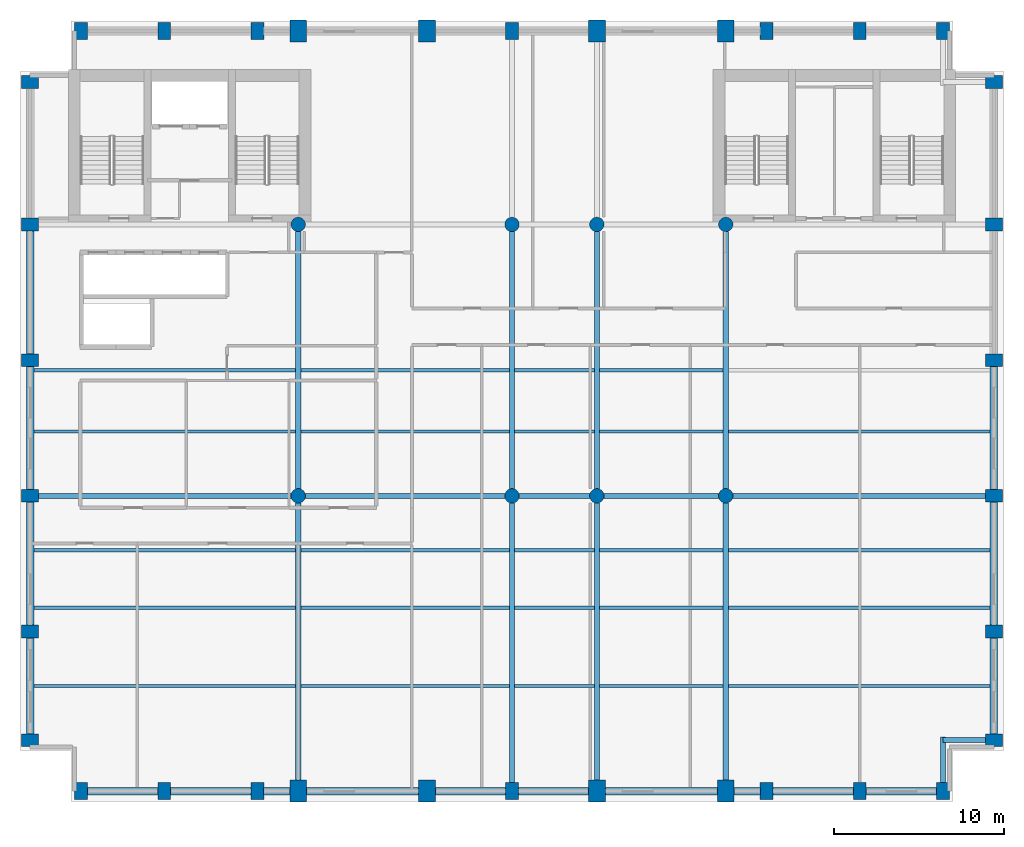
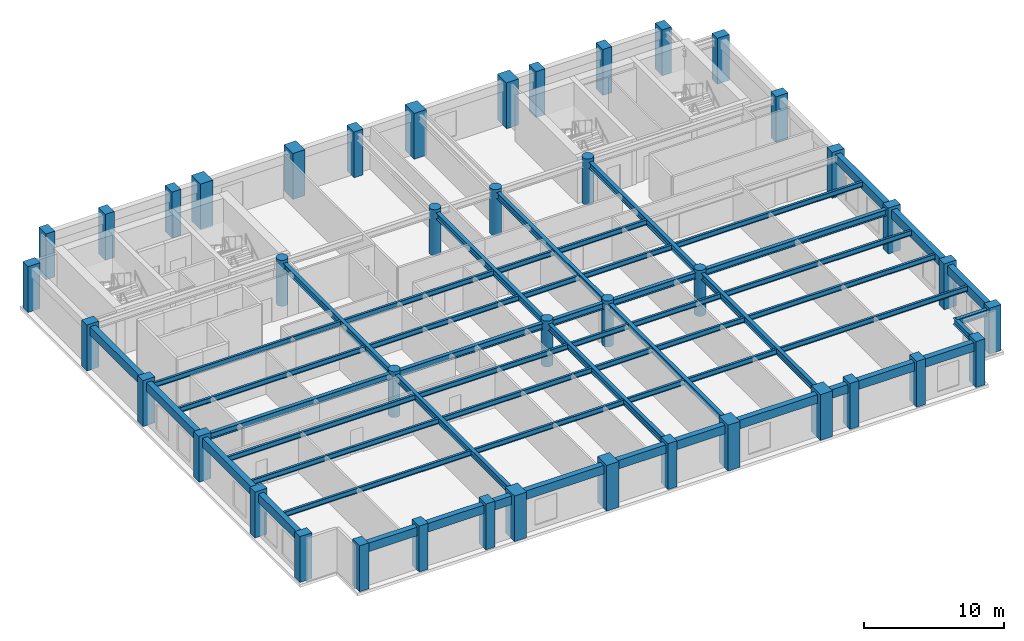
# One storey, part 1 of 8: 56 beams, 42 columns.
"""IFC4 building model written with IfcOpenShell, lengths in metres."""

from ifc_helpers import new_model, si_unit, direction, frame, origin, origin_2d, place, context, subcontext, project, spatial, rectangle, circle, i_section, extrude, material, material_profile, profile_set, type_object, element, save


model = new_model("IFC4")

# Units and contexts
model_context = context("Model", 3, precision=1e-05, world=origin(), true_north=direction((0.0, 1.0)))
body_context = subcontext(model_context, "Body", "Model", "MODEL_VIEW")
ifc_project = project(units=[si_unit("LENGTHUNIT", "METRE"), si_unit("AREAUNIT", "SQUARE_METRE"), si_unit("VOLUMEUNIT", "CUBIC_METRE"), si_unit("PLANEANGLEUNIT", "RADIAN"), si_unit("MASSUNIT", "GRAM", prefix="KILO")], contexts=[model_context])

# Site, building, storey
site_placement = place(None, origin())
site = spatial("IfcSite", under=ifc_project, at=site_placement, CompositionType="ELEMENT")
building_placement = place(site_placement, origin())
building = spatial("IfcBuilding", under=site, at=building_placement, Name="Sulina Concourse Tower", CompositionType="ELEMENT")
storey_placement = place(building_placement, frame((0.0, 0.0, 264.60009765625)))
storey = spatial("IfcBuildingStorey", under=building, at=storey_placement, Name="L64", CompositionType="ELEMENT", Elevation=264.60009765625)

# Columns
ifc_material_1 = material(Name="Precast concrete C50/60", Category="concrete")
ifc_material_profile_1 = material_profile(ifc_material_1, rectangle(XDim=0.75, YDim=1.0, at=origin_2d()), Name="PC 750x1000")
ifc_profile_set_1 = profile_set([ifc_material_profile_1], Name="Precast concrete C50/60")
column_type_1 = type_object("IfcColumnType", Name="Precast Tube Pier Zone 4 750x1000", PredefinedType="COLUMN", material=ifc_profile_set_1)
for number, where, z_axis, x_axis, name in (
    (1, (3.60009765625, 0.60009765625, 0.0), (0.0, 0.0, 1.0), (1.0, 0.0, 0.0), "L64 structural column TP-S-36"),
    (2, (3.60009765625, 45.39990234375, 0.0), (0.0, 0.0, 1.0), (1.0, 0.0, 0.0), "L64 structural column TP-N-36"),
    (3, (8.5, 0.60009765625, 0.0), (0.0, 0.0, 1.0), (1.0, 0.0, 0.0), "L64 structural column TP-S-85"),
    (4, (8.5, 45.39990234375, 0.0), (0.0, 0.0, 1.0), (1.0, 0.0, 0.0), "L64 structural column TP-N-85"),
    (5, (14.0, 0.60009765625, 0.0), (0.0, 0.0, 1.0), (1.0, 0.0, 0.0), "L64 structural column TP-S-140"),
    (6, (14.0, 45.39990234375, 0.0), (0.0, 0.0, 1.0), (1.0, 0.0, 0.0), "L64 structural column TP-N-140"),
    (7, (29.0, 0.60009765625, 0.0), (0.0, 0.0, 1.0), (1.0, 0.0, 0.0), "L64 structural column TP-S-290"),
    (8, (29.0, 45.39990234375, 0.0), (0.0, 0.0, 1.0), (1.0, 0.0, 0.0), "L64 structural column TP-N-290"),
    (9, (44.0, 0.60009765625, 0.0), (0.0, 0.0, 1.0), (1.0, 0.0, 0.0), "L64 structural column TP-S-440"),
    (10, (44.0, 45.39990234375, 0.0), (0.0, 0.0, 1.0), (1.0, 0.0, 0.0), "L64 structural column TP-N-440"),
    (11, (49.5, 0.60009765625, 0.0), (0.0, 0.0, 1.0), (1.0, 0.0, 0.0), "L64 structural column TP-S-495"),
    (12, (49.5, 45.39990234375, 0.0), (0.0, 0.0, 1.0), (1.0, 0.0, 0.0), "L64 structural column TP-N-495"),
    (13, (54.39990234375, 0.60009765625, 0.0), (0.0, 0.0, 1.0), (1.0, 0.0, 0.0), "L64 structural column TP-S-544"),
    (14, (54.39990234375, 45.39990234375, 0.0), (0.0, 0.0, 1.0), (1.0, 0.0, 0.0), "L64 structural column TP-N-544"),
    (15, (0.60009765625, 3.60009765625, 0.0), (0.0, 0.0, 1.0), (0.0, 1.0, 0.0), "L64 structural column TP-W-36"),
    (16, (57.39990234375, 3.60009765625, 0.0), (0.0, 0.0, 1.0), (0.0, 1.0, 0.0), "L64 structural column TP-E-36"),
    (17, (0.60009765625, 10.0, 0.0), (0.0, 0.0, 1.0), (0.0, 1.0, 0.0), "L64 structural column TP-W-100"),
    (18, (57.39990234375, 10.0, 0.0), (0.0, 0.0, 1.0), (0.0, 1.0, 0.0), "L64 structural column TP-E-100"),
    (19, (0.60009765625, 18.0, 0.0), (0.0, 0.0, 1.0), (0.0, 1.0, 0.0), "L64 structural column TP-W-180"),
    (20, (57.39990234375, 18.0, 0.0), (0.0, 0.0, 1.0), (0.0, 1.0, 0.0), "L64 structural column TP-E-180"),
    (21, (0.60009765625, 26.0, 0.0), (0.0, 0.0, 1.0), (0.0, 1.0, 0.0), "L64 structural column TP-W-260"),
    (22, (57.39990234375, 26.0, 0.0), (0.0, 0.0, 1.0), (0.0, 1.0, 0.0), "L64 structural column TP-E-260"),
    (23, (0.60009765625, 34.0, 0.0), (0.0, 0.0, 1.0), (0.0, 1.0, 0.0), "L64 structural column TP-W-340"),
    (24, (57.39990234375, 34.0, 0.0), (0.0, 0.0, 1.0), (0.0, 1.0, 0.0), "L64 structural column TP-E-340"),
    (25, (0.60009765625, 42.39990234375, 0.0), (0.0, 0.0, 1.0), (0.0, 1.0, 0.0), "L64 structural column TP-W-424"),
    (26, (57.39990234375, 42.39990234375, 0.0), (0.0, 0.0, 1.0), (0.0, 1.0, 0.0), "L64 structural column TP-E-424"),
):
    element("IfcColumn", number, at=place(storey_placement, frame(where, z_axis=z_axis, x_axis=x_axis)), inside=storey, type_object=column_type_1, Name=name, PredefinedType="COLUMN", context=body_context, shape_type="SweptSolid", body=[
        extrude(rectangle(XDim=0.75, YDim=1.0, at=origin_2d()), origin(), (0.0, 0.0, 1.0), 4.0),
    ])
ifc_material_2 = material(Name="Concrete C50/60", Category="concrete")
ifc_material_profile_2 = material_profile(ifc_material_2, circle(Radius=0.425048828125, at=origin_2d()), Name="RC D850")
ifc_profile_set_2 = profile_set([ifc_material_profile_2], Name="Concrete C50/60")
column_type_2 = type_object("IfcColumnType", Name="Upper Interior Circular Column D850", PredefinedType="COLUMN", material=ifc_profile_set_2)
for number, where, z_axis, x_axis, name in (
    (27, (16.39990234375, 18.0, 0.0), (0.0, 0.0, 1.0), (1.0, 0.0, 0.0), "L64 structural column IC-M-164"),
    (28, (16.39990234375, 34.0, 0.0), (0.0, 0.0, 1.0), (1.0, 0.0, 0.0), "L64 structural column IC-N-164"),
    (29, (29.0, 18.0, 0.0), (0.0, 0.0, 1.0), (1.0, 0.0, 0.0), "L64 structural column IC-M-290"),
    (30, (29.0, 34.0, 0.0), (0.0, 0.0, 1.0), (1.0, 0.0, 0.0), "L64 structural column IC-N-290"),
    (31, (41.60009765625, 18.0, 0.0), (0.0, 0.0, 1.0), (1.0, 0.0, 0.0), "L64 structural column IC-M-416"),
    (32, (41.60009765625, 34.0, 0.0), (0.0, 0.0, 1.0), (1.0, 0.0, 0.0), "L64 structural column IC-N-416"),
    (33, (34.0, 18.0, 0.0), (0.0, 0.0, 1.0), (1.0, 0.0, 0.0), "L64 structural column IC-M-340"),
    (34, (34.0, 34.0, 0.0), (0.0, 0.0, 1.0), (1.0, 0.0, 0.0), "L64 structural column IC-N-340"),
):
    element("IfcColumn", number, at=place(storey_placement, frame(where, z_axis=z_axis, x_axis=x_axis)), inside=storey, type_object=column_type_2, Name=name, PredefinedType="COLUMN", context=body_context, shape_type="SweptSolid", body=[
        extrude(circle(Radius=0.425048828125, at=origin_2d()), origin(), (0.0, 0.0, 1.0), 4.0),
    ])
ifc_material_3 = material(Name="Concrete C60/75", Category="concrete")
ifc_material_profile_3 = material_profile(ifc_material_3, rectangle(XDim=1.0, YDim=1.300048828125, at=origin_2d()), Name="RC 1000x1300")
ifc_profile_set_3 = profile_set([ifc_material_profile_3], Name="Concrete C60/75")
column_type_3 = type_object("IfcColumnType", Name="Upper Portal Column 1000x1300", PredefinedType="COLUMN", material=ifc_profile_set_3)
for number, where, z_axis, x_axis, name in (
    (35, (16.39990234375, 0.60009765625, 0.0), (0.0, 0.0, 1.0), (1.0, 0.0, 0.0), "L64 structural column TP-S-164"),
    (36, (16.39990234375, 45.39990234375, 0.0), (0.0, 0.0, 1.0), (1.0, 0.0, 0.0), "L64 structural column TP-N-164"),
    (37, (24.0, 0.60009765625, 0.0), (0.0, 0.0, 1.0), (1.0, 0.0, 0.0), "L64 structural column TP-S-240"),
    (38, (24.0, 45.39990234375, 0.0), (0.0, 0.0, 1.0), (1.0, 0.0, 0.0), "L64 structural column TP-N-240"),
    (39, (34.0, 0.60009765625, 0.0), (0.0, 0.0, 1.0), (1.0, 0.0, 0.0), "L64 structural column TP-S-340"),
    (40, (34.0, 45.39990234375, 0.0), (0.0, 0.0, 1.0), (1.0, 0.0, 0.0), "L64 structural column TP-N-340"),
    (41, (41.60009765625, 0.60009765625, 0.0), (0.0, 0.0, 1.0), (1.0, 0.0, 0.0), "L64 structural column TP-S-416"),
    (42, (41.60009765625, 45.39990234375, 0.0), (0.0, 0.0, 1.0), (1.0, 0.0, 0.0), "L64 structural column TP-N-416"),
):
    element("IfcColumn", number, at=place(storey_placement, frame(where, z_axis=z_axis, x_axis=x_axis)), inside=storey, type_object=column_type_3, Name=name, PredefinedType="COLUMN", context=body_context, shape_type="SweptSolid", body=[
        extrude(rectangle(XDim=1.0, YDim=1.300048828125, at=origin_2d()), origin(), (0.0, 0.0, 1.0), 4.0),
    ])

# Beams
ifc_material_4 = material(Name="Steel S355", Category="steel")
ifc_material_profile_4 = material_profile(ifc_material_4, i_section(OverallWidth=0.18994140625, OverallDepth=0.449951171875, WebThickness=0.009521484375, FlangeThickness=0.0146484375, at=origin_2d()), Name="IPE 450")
ifc_profile_set_4 = profile_set([ifc_material_profile_4], Name="Steel S355")
beam_type_1 = type_object("IfcBeamType", Name="Composite Floor Joist IPE450", PredefinedType="JOIST", material=ifc_profile_set_4)
beam_1_placement = place(storey_placement, frame((0.824951171875, 6.800048828125, 3.52490234375), z_axis=(1.0, 0.0, 0.0), x_axis=(0.0, 1.0, 0.0)))
element("IfcBeam", 43, at=beam_1_placement, inside=storey, type_object=beam_type_1, Name="FJ-J06-1-L64", PredefinedType="JOIST", context=body_context, shape_type="SweptSolid", body=[
    extrude(i_section(OverallWidth=0.18994140625, OverallDepth=0.449951171875, WebThickness=0.009521484375, FlangeThickness=0.0146484375, at=origin_2d()), origin(), (0.0, 0.0, 1.0), 15.425048828125),
])
beam_2_placement = place(storey_placement, frame((16.550048828125, 6.800048828125, 3.52490234375), z_axis=(1.0, 0.0, 0.0), x_axis=(0.0, 1.0, 0.0)))
element("IfcBeam", 44, at=beam_2_placement, inside=storey, type_object=beam_type_1, Name="FJ-J06-2-L64", PredefinedType="JOIST", context=body_context, shape_type="SweptSolid", body=[
    extrude(i_section(OverallWidth=0.18994140625, OverallDepth=0.449951171875, WebThickness=0.009521484375, FlangeThickness=0.0146484375, at=origin_2d()), origin(), (0.0, 0.0, 1.0), 12.300048828125),
])
beam_3_placement = place(storey_placement, frame((29.14990234375, 6.800048828125, 3.52490234375), z_axis=(1.0, 0.0, 0.0), x_axis=(0.0, 1.0, 0.0)))
element("IfcBeam", 45, at=beam_3_placement, inside=storey, type_object=beam_type_1, Name="FJ-J06-3-L64", PredefinedType="JOIST", context=body_context, shape_type="SweptSolid", body=[
    extrude(i_section(OverallWidth=0.18994140625, OverallDepth=0.449951171875, WebThickness=0.009521484375, FlangeThickness=0.0146484375, at=origin_2d()), origin(), (0.0, 0.0, 1.0), 4.7001953125),
])
beam_4_placement = place(storey_placement, frame((34.14990234375, 6.800048828125, 3.52490234375), z_axis=(1.0, 0.0, 0.0), x_axis=(0.0, 1.0, 0.0)))
element("IfcBeam", 46, at=beam_4_placement, inside=storey, type_object=beam_type_1, Name="FJ-J06-4-L64", PredefinedType="JOIST", context=body_context, shape_type="SweptSolid", body=[
    extrude(i_section(OverallWidth=0.18994140625, OverallDepth=0.449951171875, WebThickness=0.009521484375, FlangeThickness=0.0146484375, at=origin_2d()), origin(), (0.0, 0.0, 1.0), 7.300048828125),
])
for number, where, z_axis, x_axis, name in (
    (47, (41.75, 6.800048828125, 3.52490234375), (1.0, 0.0, 0.0), (0.0, 1.0, 0.0), "FJ-J06-5-L64"),
    (48, (0.824951171875, 11.39990234375, 3.52490234375), (1.0, 0.0, 0.0), (0.0, 1.0, 0.0), "FJ-J11-1-L64"),
):
    element("IfcBeam", number, at=place(storey_placement, frame(where, z_axis=z_axis, x_axis=x_axis)), inside=storey, type_object=beam_type_1, Name=name, PredefinedType="JOIST", context=body_context, shape_type="SweptSolid", body=[
        extrude(i_section(OverallWidth=0.18994140625, OverallDepth=0.449951171875, WebThickness=0.009521484375, FlangeThickness=0.0146484375, at=origin_2d()), origin(), (0.0, 0.0, 1.0), 15.425048828125),
    ])
beam_5_placement = place(storey_placement, frame((16.550048828125, 11.39990234375, 3.52490234375), z_axis=(1.0, 0.0, 0.0), x_axis=(0.0, 1.0, 0.0)))
element("IfcBeam", 49, at=beam_5_placement, inside=storey, type_object=beam_type_1, Name="FJ-J11-2-L64", PredefinedType="JOIST", context=body_context, shape_type="SweptSolid", body=[
    extrude(i_section(OverallWidth=0.18994140625, OverallDepth=0.449951171875, WebThickness=0.009521484375, FlangeThickness=0.0146484375, at=origin_2d()), origin(), (0.0, 0.0, 1.0), 12.300048828125),
])
beam_6_placement = place(storey_placement, frame((29.14990234375, 11.39990234375, 3.52490234375), z_axis=(1.0, 0.0, 0.0), x_axis=(0.0, 1.0, 0.0)))
element("IfcBeam", 50, at=beam_6_placement, inside=storey, type_object=beam_type_1, Name="FJ-J11-3-L64", PredefinedType="JOIST", context=body_context, shape_type="SweptSolid", body=[
    extrude(i_section(OverallWidth=0.18994140625, OverallDepth=0.449951171875, WebThickness=0.009521484375, FlangeThickness=0.0146484375, at=origin_2d()), origin(), (0.0, 0.0, 1.0), 4.7001953125),
])
beam_7_placement = place(storey_placement, frame((34.14990234375, 11.39990234375, 3.52490234375), z_axis=(1.0, 0.0, 0.0), x_axis=(0.0, 1.0, 0.0)))
element("IfcBeam", 51, at=beam_7_placement, inside=storey, type_object=beam_type_1, Name="FJ-J11-4-L64", PredefinedType="JOIST", context=body_context, shape_type="SweptSolid", body=[
    extrude(i_section(OverallWidth=0.18994140625, OverallDepth=0.449951171875, WebThickness=0.009521484375, FlangeThickness=0.0146484375, at=origin_2d()), origin(), (0.0, 0.0, 1.0), 7.300048828125),
])
for number, where, z_axis, x_axis, name in (
    (52, (41.75, 11.39990234375, 3.52490234375), (1.0, 0.0, 0.0), (0.0, 1.0, 0.0), "FJ-J11-5-L64"),
    (53, (0.824951171875, 14.800048828125, 3.52490234375), (1.0, 0.0, 0.0), (0.0, 1.0, 0.0), "FJ-J15-1-L64"),
):
    element("IfcBeam", number, at=place(storey_placement, frame(where, z_axis=z_axis, x_axis=x_axis)), inside=storey, type_object=beam_type_1, Name=name, PredefinedType="JOIST", context=body_context, shape_type="SweptSolid", body=[
        extrude(i_section(OverallWidth=0.18994140625, OverallDepth=0.449951171875, WebThickness=0.009521484375, FlangeThickness=0.0146484375, at=origin_2d()), origin(), (0.0, 0.0, 1.0), 15.425048828125),
    ])
beam_8_placement = place(storey_placement, frame((16.550048828125, 14.800048828125, 3.52490234375), z_axis=(1.0, 0.0, 0.0), x_axis=(0.0, 1.0, 0.0)))
element("IfcBeam", 54, at=beam_8_placement, inside=storey, type_object=beam_type_1, Name="FJ-J15-2-L64", PredefinedType="JOIST", context=body_context, shape_type="SweptSolid", body=[
    extrude(i_section(OverallWidth=0.18994140625, OverallDepth=0.449951171875, WebThickness=0.009521484375, FlangeThickness=0.0146484375, at=origin_2d()), origin(), (0.0, 0.0, 1.0), 12.300048828125),
])
beam_9_placement = place(storey_placement, frame((29.14990234375, 14.800048828125, 3.52490234375), z_axis=(1.0, 0.0, 0.0), x_axis=(0.0, 1.0, 0.0)))
element("IfcBeam", 55, at=beam_9_placement, inside=storey, type_object=beam_type_1, Name="FJ-J15-3-L64", PredefinedType="JOIST", context=body_context, shape_type="SweptSolid", body=[
    extrude(i_section(OverallWidth=0.18994140625, OverallDepth=0.449951171875, WebThickness=0.009521484375, FlangeThickness=0.0146484375, at=origin_2d()), origin(), (0.0, 0.0, 1.0), 4.7001953125),
])
beam_10_placement = place(storey_placement, frame((34.14990234375, 14.800048828125, 3.52490234375), z_axis=(1.0, 0.0, 0.0), x_axis=(0.0, 1.0, 0.0)))
element("IfcBeam", 56, at=beam_10_placement, inside=storey, type_object=beam_type_1, Name="FJ-J15-4-L64", PredefinedType="JOIST", context=body_context, shape_type="SweptSolid", body=[
    extrude(i_section(OverallWidth=0.18994140625, OverallDepth=0.449951171875, WebThickness=0.009521484375, FlangeThickness=0.0146484375, at=origin_2d()), origin(), (0.0, 0.0, 1.0), 7.300048828125),
])
for number, where, z_axis, x_axis, name in (
    (57, (41.75, 14.800048828125, 3.52490234375), (1.0, 0.0, 0.0), (0.0, 1.0, 0.0), "FJ-J15-5-L64"),
    (58, (0.824951171875, 21.800048828125, 3.52490234375), (1.0, 0.0, 0.0), (0.0, 1.0, 0.0), "FJ-J22-1-L64"),
):
    element("IfcBeam", number, at=place(storey_placement, frame(where, z_axis=z_axis, x_axis=x_axis)), inside=storey, type_object=beam_type_1, Name=name, PredefinedType="JOIST", context=body_context, shape_type="SweptSolid", body=[
        extrude(i_section(OverallWidth=0.18994140625, OverallDepth=0.449951171875, WebThickness=0.009521484375, FlangeThickness=0.0146484375, at=origin_2d()), origin(), (0.0, 0.0, 1.0), 15.425048828125),
    ])
beam_11_placement = place(storey_placement, frame((16.550048828125, 21.800048828125, 3.52490234375), z_axis=(1.0, 0.0, 0.0), x_axis=(0.0, 1.0, 0.0)))
element("IfcBeam", 59, at=beam_11_placement, inside=storey, type_object=beam_type_1, Name="FJ-J22-2-L64", PredefinedType="JOIST", context=body_context, shape_type="SweptSolid", body=[
    extrude(i_section(OverallWidth=0.18994140625, OverallDepth=0.449951171875, WebThickness=0.009521484375, FlangeThickness=0.0146484375, at=origin_2d()), origin(), (0.0, 0.0, 1.0), 12.300048828125),
])
beam_12_placement = place(storey_placement, frame((29.14990234375, 21.800048828125, 3.52490234375), z_axis=(1.0, 0.0, 0.0), x_axis=(0.0, 1.0, 0.0)))
element("IfcBeam", 60, at=beam_12_placement, inside=storey, type_object=beam_type_1, Name="FJ-J22-3-L64", PredefinedType="JOIST", context=body_context, shape_type="SweptSolid", body=[
    extrude(i_section(OverallWidth=0.18994140625, OverallDepth=0.449951171875, WebThickness=0.009521484375, FlangeThickness=0.0146484375, at=origin_2d()), origin(), (0.0, 0.0, 1.0), 4.7001953125),
])
beam_13_placement = place(storey_placement, frame((34.14990234375, 21.800048828125, 3.52490234375), z_axis=(1.0, 0.0, 0.0), x_axis=(0.0, 1.0, 0.0)))
element("IfcBeam", 61, at=beam_13_placement, inside=storey, type_object=beam_type_1, Name="FJ-J22-4-L64", PredefinedType="JOIST", context=body_context, shape_type="SweptSolid", body=[
    extrude(i_section(OverallWidth=0.18994140625, OverallDepth=0.449951171875, WebThickness=0.009521484375, FlangeThickness=0.0146484375, at=origin_2d()), origin(), (0.0, 0.0, 1.0), 7.300048828125),
])
for number, where, z_axis, x_axis, name in (
    (62, (41.75, 21.800048828125, 3.52490234375), (1.0, 0.0, 0.0), (0.0, 1.0, 0.0), "FJ-J22-5-L64"),
    (63, (0.824951171875, 25.39990234375, 3.52490234375), (1.0, 0.0, 0.0), (0.0, 1.0, 0.0), "FJ-J25-1-L64"),
):
    element("IfcBeam", number, at=place(storey_placement, frame(where, z_axis=z_axis, x_axis=x_axis)), inside=storey, type_object=beam_type_1, Name=name, PredefinedType="JOIST", context=body_context, shape_type="SweptSolid", body=[
        extrude(i_section(OverallWidth=0.18994140625, OverallDepth=0.449951171875, WebThickness=0.009521484375, FlangeThickness=0.0146484375, at=origin_2d()), origin(), (0.0, 0.0, 1.0), 15.425048828125),
    ])
beam_14_placement = place(storey_placement, frame((16.550048828125, 25.39990234375, 3.52490234375), z_axis=(1.0, 0.0, 0.0), x_axis=(0.0, 1.0, 0.0)))
element("IfcBeam", 64, at=beam_14_placement, inside=storey, type_object=beam_type_1, Name="FJ-J25-2-L64", PredefinedType="JOIST", context=body_context, shape_type="SweptSolid", body=[
    extrude(i_section(OverallWidth=0.18994140625, OverallDepth=0.449951171875, WebThickness=0.009521484375, FlangeThickness=0.0146484375, at=origin_2d()), origin(), (0.0, 0.0, 1.0), 12.300048828125),
])
beam_15_placement = place(storey_placement, frame((29.14990234375, 25.39990234375, 3.52490234375), z_axis=(1.0, 0.0, 0.0), x_axis=(0.0, 1.0, 0.0)))
element("IfcBeam", 65, at=beam_15_placement, inside=storey, type_object=beam_type_1, Name="FJ-J25-3-L64", PredefinedType="JOIST", context=body_context, shape_type="SweptSolid", body=[
    extrude(i_section(OverallWidth=0.18994140625, OverallDepth=0.449951171875, WebThickness=0.009521484375, FlangeThickness=0.0146484375, at=origin_2d()), origin(), (0.0, 0.0, 1.0), 4.7001953125),
])
beam_16_placement = place(storey_placement, frame((34.14990234375, 25.39990234375, 3.52490234375), z_axis=(1.0, 0.0, 0.0), x_axis=(0.0, 1.0, 0.0)))
element("IfcBeam", 66, at=beam_16_placement, inside=storey, type_object=beam_type_1, Name="FJ-J25-4-L64", PredefinedType="JOIST", context=body_context, shape_type="SweptSolid", body=[
    extrude(i_section(OverallWidth=0.18994140625, OverallDepth=0.449951171875, WebThickness=0.009521484375, FlangeThickness=0.0146484375, at=origin_2d()), origin(), (0.0, 0.0, 1.0), 7.300048828125),
])
ifc_material_5 = material(Name="Steel S355", Category="steel")
ifc_material_profile_5 = material_profile(ifc_material_5, i_section(OverallWidth=0.300048828125, OverallDepth=0.550048828125, WebThickness=0.014892578125, FlangeThickness=0.029052734375, at=origin_2d()), Name="HE 550 B")
ifc_profile_set_5 = profile_set([ifc_material_profile_5], Name="Steel S355")
beam_type_2 = type_object("IfcBeamType", Name="Floor Primary Girder Zone 4 HE550B", PredefinedType="BEAM", material=ifc_profile_set_5)
beam_17_placement = place(storey_placement, frame((54.39990234375, 3.60009765625, 3.474853515625), z_axis=(1.0, 0.0, 0.0), x_axis=(0.0, 1.0, 0.0)))
element("IfcBeam", 67, at=beam_17_placement, inside=storey, type_object=beam_type_2, Name="TIE-SE-L64", PredefinedType="BEAM", context=body_context, shape_type="SweptSolid", body=[
    extrude(i_section(OverallWidth=0.300048828125, OverallDepth=0.550048828125, WebThickness=0.014892578125, FlangeThickness=0.029052734375, at=origin_2d()), origin(), (0.0, 0.0, 1.0), 2.64501953125),
])
beam_18_placement = place(storey_placement, frame((54.39990234375, 0.955078125, 3.474853515625), z_axis=(0.0, 1.0, 0.0), x_axis=(-1.0, 0.0, 0.0)))
element("IfcBeam", 68, at=beam_18_placement, inside=storey, type_object=beam_type_2, Name="TIE-SES-L64", PredefinedType="BEAM", context=body_context, shape_type="SweptSolid", body=[
    extrude(i_section(OverallWidth=0.300048828125, OverallDepth=0.550048828125, WebThickness=0.014892578125, FlangeThickness=0.029052734375, at=origin_2d()), origin(), (0.0, 0.0, 1.0), 2.844970703125),
])
beam_19_placement = place(storey_placement, frame((0.955078125, 18.0, 3.474853515625), z_axis=(1.0, 0.0, 0.0), x_axis=(0.0, 1.0, 0.0)))
element("IfcBeam", 69, at=beam_19_placement, inside=storey, type_object=beam_type_2, Name="FG-EW1-L64", PredefinedType="BEAM", context=body_context, shape_type="SweptSolid", body=[
    extrude(i_section(OverallWidth=0.300048828125, OverallDepth=0.550048828125, WebThickness=0.014892578125, FlangeThickness=0.029052734375, at=origin_2d()), origin(), (0.0, 0.0, 1.0), 15.0400390625),
])
beam_20_placement = place(storey_placement, frame((16.804931640625, 18.0, 3.474853515625), z_axis=(1.0, 0.0, 0.0), x_axis=(0.0, 1.0, 0.0)))
element("IfcBeam", 70, at=beam_20_placement, inside=storey, type_object=beam_type_2, Name="FG-EW2-L64", PredefinedType="BEAM", context=body_context, shape_type="SweptSolid", body=[
    extrude(i_section(OverallWidth=0.300048828125, OverallDepth=0.550048828125, WebThickness=0.014892578125, FlangeThickness=0.029052734375, at=origin_2d()), origin(), (0.0, 0.0, 1.0), 11.7900390625),
])
beam_21_placement = place(storey_placement, frame((29.405029296875, 18.0, 3.474853515625), z_axis=(1.0, 0.0, 0.0), x_axis=(0.0, 1.0, 0.0)))
element("IfcBeam", 71, at=beam_21_placement, inside=storey, type_object=beam_type_2, Name="FG-EW3-L64", PredefinedType="BEAM", context=body_context, shape_type="SweptSolid", body=[
    extrude(i_section(OverallWidth=0.300048828125, OverallDepth=0.550048828125, WebThickness=0.014892578125, FlangeThickness=0.029052734375, at=origin_2d()), origin(), (0.0, 0.0, 1.0), 4.18994140625),
])
beam_22_placement = place(storey_placement, frame((34.405029296875, 18.0, 3.474853515625), z_axis=(1.0, 0.0, 0.0), x_axis=(0.0, 1.0, 0.0)))
element("IfcBeam", 72, at=beam_22_placement, inside=storey, type_object=beam_type_2, Name="FG-EW4-L64", PredefinedType="BEAM", context=body_context, shape_type="SweptSolid", body=[
    extrude(i_section(OverallWidth=0.300048828125, OverallDepth=0.550048828125, WebThickness=0.014892578125, FlangeThickness=0.029052734375, at=origin_2d()), origin(), (0.0, 0.0, 1.0), 6.7900390625),
])
beam_23_placement = place(storey_placement, frame((42.0048828125, 18.0, 3.474853515625), z_axis=(1.0, 0.0, 0.0), x_axis=(0.0, 1.0, 0.0)))
element("IfcBeam", 73, at=beam_23_placement, inside=storey, type_object=beam_type_2, Name="FG-EW5-L64", PredefinedType="BEAM", context=body_context, shape_type="SweptSolid", body=[
    extrude(i_section(OverallWidth=0.300048828125, OverallDepth=0.550048828125, WebThickness=0.014892578125, FlangeThickness=0.029052734375, at=origin_2d()), origin(), (0.0, 0.0, 1.0), 15.0400390625),
])
beam_24_placement = place(storey_placement, frame((16.39990234375, 1.080078125, 3.474853515625), z_axis=(0.0, 1.0, 0.0), x_axis=(-1.0, 0.0, 0.0)))
element("IfcBeam", 74, at=beam_24_placement, inside=storey, type_object=beam_type_2, Name="FG-NSA-16-L64", PredefinedType="BEAM", context=body_context, shape_type="SweptSolid", body=[
    extrude(i_section(OverallWidth=0.300048828125, OverallDepth=0.550048828125, WebThickness=0.014892578125, FlangeThickness=0.029052734375, at=origin_2d()), origin(), (0.0, 0.0, 1.0), 16.514892578125),
])
beam_25_placement = place(storey_placement, frame((16.39990234375, 18.405029296875, 3.474853515625), z_axis=(0.0, 1.0, 0.0), x_axis=(-1.0, 0.0, 0.0)))
element("IfcBeam", 75, at=beam_25_placement, inside=storey, type_object=beam_type_2, Name="FG-NSB-16-L64", PredefinedType="BEAM", context=body_context, shape_type="SweptSolid", body=[
    extrude(i_section(OverallWidth=0.300048828125, OverallDepth=0.550048828125, WebThickness=0.014892578125, FlangeThickness=0.029052734375, at=origin_2d()), origin(), (0.0, 0.0, 1.0), 15.18994140625),
])
beam_26_placement = place(storey_placement, frame((29.0, 0.955078125, 3.474853515625), z_axis=(0.0, 1.0, 0.0), x_axis=(-1.0, 0.0, 0.0)))
element("IfcBeam", 76, at=beam_26_placement, inside=storey, type_object=beam_type_2, Name="FG-NSA-29-L64", PredefinedType="BEAM", context=body_context, shape_type="SweptSolid", body=[
    extrude(i_section(OverallWidth=0.300048828125, OverallDepth=0.550048828125, WebThickness=0.014892578125, FlangeThickness=0.029052734375, at=origin_2d()), origin(), (0.0, 0.0, 1.0), 16.639892578125),
])
beam_27_placement = place(storey_placement, frame((29.0, 18.405029296875, 3.474853515625), z_axis=(0.0, 1.0, 0.0), x_axis=(-1.0, 0.0, 0.0)))
element("IfcBeam", 77, at=beam_27_placement, inside=storey, type_object=beam_type_2, Name="FG-NSB-29-L64", PredefinedType="BEAM", context=body_context, shape_type="SweptSolid", body=[
    extrude(i_section(OverallWidth=0.300048828125, OverallDepth=0.550048828125, WebThickness=0.014892578125, FlangeThickness=0.029052734375, at=origin_2d()), origin(), (0.0, 0.0, 1.0), 15.18994140625),
])
beam_28_placement = place(storey_placement, frame((34.0, 1.080078125, 3.474853515625), z_axis=(0.0, 1.0, 0.0), x_axis=(-1.0, 0.0, 0.0)))
element("IfcBeam", 78, at=beam_28_placement, inside=storey, type_object=beam_type_2, Name="FG-NSA-34-L64", PredefinedType="BEAM", context=body_context, shape_type="SweptSolid", body=[
    extrude(i_section(OverallWidth=0.300048828125, OverallDepth=0.550048828125, WebThickness=0.014892578125, FlangeThickness=0.029052734375, at=origin_2d()), origin(), (0.0, 0.0, 1.0), 16.514892578125),
])
beam_29_placement = place(storey_placement, frame((34.0, 18.405029296875, 3.474853515625), z_axis=(0.0, 1.0, 0.0), x_axis=(-1.0, 0.0, 0.0)))
element("IfcBeam", 79, at=beam_29_placement, inside=storey, type_object=beam_type_2, Name="FG-NSB-34-L64", PredefinedType="BEAM", context=body_context, shape_type="SweptSolid", body=[
    extrude(i_section(OverallWidth=0.300048828125, OverallDepth=0.550048828125, WebThickness=0.014892578125, FlangeThickness=0.029052734375, at=origin_2d()), origin(), (0.0, 0.0, 1.0), 15.18994140625),
])
beam_30_placement = place(storey_placement, frame((41.60009765625, 1.080078125, 3.474853515625), z_axis=(0.0, 1.0, 0.0), x_axis=(-1.0, 0.0, 0.0)))
element("IfcBeam", 80, at=beam_30_placement, inside=storey, type_object=beam_type_2, Name="FG-NSA-41-L64", PredefinedType="BEAM", context=body_context, shape_type="SweptSolid", body=[
    extrude(i_section(OverallWidth=0.300048828125, OverallDepth=0.550048828125, WebThickness=0.014892578125, FlangeThickness=0.029052734375, at=origin_2d()), origin(), (0.0, 0.0, 1.0), 16.514892578125),
])
beam_31_placement = place(storey_placement, frame((41.60009765625, 18.405029296875, 3.474853515625), z_axis=(0.0, 1.0, 0.0), x_axis=(-1.0, 0.0, 0.0)))
element("IfcBeam", 81, at=beam_31_placement, inside=storey, type_object=beam_type_2, Name="FG-NSB-41-L64", PredefinedType="BEAM", context=body_context, shape_type="SweptSolid", body=[
    extrude(i_section(OverallWidth=0.300048828125, OverallDepth=0.550048828125, WebThickness=0.014892578125, FlangeThickness=0.029052734375, at=origin_2d()), origin(), (0.0, 0.0, 1.0), 15.18994140625),
])
ifc_material_6 = material(Name="Precast concrete C50/60", Category="concrete")
ifc_material_profile_6 = material_profile(ifc_material_6, rectangle(XDim=0.449951171875, YDim=0.75, at=origin_2d()), Name="RC 450x750")
ifc_profile_set_6 = profile_set([ifc_material_profile_6], Name="Precast concrete C50/60")
beam_type_3 = type_object("IfcBeamType", Name="Upper Precast Spandrel Edge Beam 450x750", PredefinedType="BEAM", material=ifc_profile_set_6)
beam_32_placement = place(storey_placement, frame((3.955078125, 0.60009765625, 3.375), z_axis=(1.0, 0.0, 0.0), x_axis=(0.0, 1.0, 0.0)))
element("IfcBeam", 82, at=beam_32_placement, inside=storey, type_object=beam_type_3, Name="SP-S1-L64", PredefinedType="BEAM", context=body_context, shape_type="SweptSolid", body=[
    extrude(rectangle(XDim=0.449951171875, YDim=0.75, at=origin_2d()), origin(), (0.0, 0.0, 1.0), 4.18994140625),
])
beam_33_placement = place(storey_placement, frame((8.85498046875, 0.60009765625, 3.375), z_axis=(1.0, 0.0, 0.0), x_axis=(0.0, 1.0, 0.0)))
element("IfcBeam", 83, at=beam_33_placement, inside=storey, type_object=beam_type_3, Name="SP-S2-L64", PredefinedType="BEAM", context=body_context, shape_type="SweptSolid", body=[
    extrude(rectangle(XDim=0.449951171875, YDim=0.75, at=origin_2d()), origin(), (0.0, 0.0, 1.0), 4.7900390625),
])
beam_34_placement = place(storey_placement, frame((14.35498046875, 0.60009765625, 3.375), z_axis=(1.0, 0.0, 0.0), x_axis=(0.0, 1.0, 0.0)))
element("IfcBeam", 84, at=beam_34_placement, inside=storey, type_object=beam_type_3, Name="SP-S3-L64", PredefinedType="BEAM", context=body_context, shape_type="SweptSolid", body=[
    extrude(rectangle(XDim=0.449951171875, YDim=0.75, at=origin_2d()), origin(), (0.0, 0.0, 1.0), 1.56494140625),
])
beam_35_placement = place(storey_placement, frame((16.8798828125, 0.60009765625, 3.375), z_axis=(1.0, 0.0, 0.0), x_axis=(0.0, 1.0, 0.0)))
element("IfcBeam", 85, at=beam_35_placement, inside=storey, type_object=beam_type_3, Name="SP-S4-L64", PredefinedType="BEAM", context=body_context, shape_type="SweptSolid", body=[
    extrude(rectangle(XDim=0.449951171875, YDim=0.75, at=origin_2d()), origin(), (0.0, 0.0, 1.0), 6.64013671875),
])
for number, where, z_axis, x_axis, name in (
    (86, (24.47998046875, 0.60009765625, 3.375), (1.0, 0.0, 0.0), (0.0, 1.0, 0.0), "SP-S5-L64"),
    (87, (29.35498046875, 0.60009765625, 3.375), (1.0, 0.0, 0.0), (0.0, 1.0, 0.0), "SP-S6-L64"),
):
    element("IfcBeam", number, at=place(storey_placement, frame(where, z_axis=z_axis, x_axis=x_axis)), inside=storey, type_object=beam_type_3, Name=name, PredefinedType="BEAM", context=body_context, shape_type="SweptSolid", body=[
        extrude(rectangle(XDim=0.449951171875, YDim=0.75, at=origin_2d()), origin(), (0.0, 0.0, 1.0), 4.1650390625),
    ])
beam_36_placement = place(storey_placement, frame((34.47998046875, 0.60009765625, 3.375), z_axis=(1.0, 0.0, 0.0), x_axis=(0.0, 1.0, 0.0)))
element("IfcBeam", 88, at=beam_36_placement, inside=storey, type_object=beam_type_3, Name="SP-S7-L64", PredefinedType="BEAM", context=body_context, shape_type="SweptSolid", body=[
    extrude(rectangle(XDim=0.449951171875, YDim=0.75, at=origin_2d()), origin(), (0.0, 0.0, 1.0), 6.64013671875),
])
beam_37_placement = place(storey_placement, frame((42.080078125, 0.60009765625, 3.375), z_axis=(1.0, 0.0, 0.0), x_axis=(0.0, 1.0, 0.0)))
element("IfcBeam", 89, at=beam_37_placement, inside=storey, type_object=beam_type_3, Name="SP-S8-L64", PredefinedType="BEAM", context=body_context, shape_type="SweptSolid", body=[
    extrude(rectangle(XDim=0.449951171875, YDim=0.75, at=origin_2d()), origin(), (0.0, 0.0, 1.0), 1.56494140625),
])
beam_38_placement = place(storey_placement, frame((44.35498046875, 0.60009765625, 3.375), z_axis=(1.0, 0.0, 0.0), x_axis=(0.0, 1.0, 0.0)))
element("IfcBeam", 90, at=beam_38_placement, inside=storey, type_object=beam_type_3, Name="SP-S9-L64", PredefinedType="BEAM", context=body_context, shape_type="SweptSolid", body=[
    extrude(rectangle(XDim=0.449951171875, YDim=0.75, at=origin_2d()), origin(), (0.0, 0.0, 1.0), 4.7900390625),
])
beam_39_placement = place(storey_placement, frame((49.85498046875, 0.60009765625, 3.375), z_axis=(1.0, 0.0, 0.0), x_axis=(0.0, 1.0, 0.0)))
element("IfcBeam", 91, at=beam_39_placement, inside=storey, type_object=beam_type_3, Name="SP-S10-L64", PredefinedType="BEAM", context=body_context, shape_type="SweptSolid", body=[
    extrude(rectangle(XDim=0.449951171875, YDim=0.75, at=origin_2d()), origin(), (0.0, 0.0, 1.0), 4.18994140625),
])
beam_40_placement = place(storey_placement, frame((0.60009765625, 3.955078125, 3.375), z_axis=(0.0, 1.0, 0.0), x_axis=(-1.0, 0.0, 0.0)))
element("IfcBeam", 92, at=beam_40_placement, inside=storey, type_object=beam_type_3, Name="SP-W1-L64", PredefinedType="BEAM", context=body_context, shape_type="SweptSolid", body=[
    extrude(rectangle(XDim=0.449951171875, YDim=0.75, at=origin_2d()), origin(), (0.0, 0.0, 1.0), 5.68994140625),
])
for number, where, z_axis, x_axis, name in (
    (93, (0.60009765625, 10.35498046875, 3.375), (0.0, 1.0, 0.0), (-1.0, 0.0, 0.0), "SP-W2-L64"),
    (94, (0.60009765625, 18.35498046875, 3.375), (0.0, 1.0, 0.0), (-1.0, 0.0, 0.0), "SP-W3-L64"),
    (95, (0.60009765625, 26.35498046875, 3.375), (0.0, 1.0, 0.0), (-1.0, 0.0, 0.0), "SP-W4-L64"),
):
    element("IfcBeam", number, at=place(storey_placement, frame(where, z_axis=z_axis, x_axis=x_axis)), inside=storey, type_object=beam_type_3, Name=name, PredefinedType="BEAM", context=body_context, shape_type="SweptSolid", body=[
        extrude(rectangle(XDim=0.449951171875, YDim=0.75, at=origin_2d()), origin(), (0.0, 0.0, 1.0), 7.2900390625),
    ])
beam_41_placement = place(storey_placement, frame((57.39990234375, 3.955078125, 3.375), z_axis=(0.0, 1.0, 0.0), x_axis=(-1.0, 0.0, 0.0)))
element("IfcBeam", 96, at=beam_41_placement, inside=storey, type_object=beam_type_3, Name="SP-E1-L64", PredefinedType="BEAM", context=body_context, shape_type="SweptSolid", body=[
    extrude(rectangle(XDim=0.449951171875, YDim=0.75, at=origin_2d()), origin(), (0.0, 0.0, 1.0), 5.68994140625),
])
for number, where, z_axis, x_axis, name in (
    (97, (57.39990234375, 10.35498046875, 3.375), (0.0, 1.0, 0.0), (-1.0, 0.0, 0.0), "SP-E2-L64"),
    (98, (57.39990234375, 18.35498046875, 3.375), (0.0, 1.0, 0.0), (-1.0, 0.0, 0.0), "SP-E3-L64"),
):
    element("IfcBeam", number, at=place(storey_placement, frame(where, z_axis=z_axis, x_axis=x_axis)), inside=storey, type_object=beam_type_3, Name=name, PredefinedType="BEAM", context=body_context, shape_type="SweptSolid", body=[
        extrude(rectangle(XDim=0.449951171875, YDim=0.75, at=origin_2d()), origin(), (0.0, 0.0, 1.0), 7.2900390625),
    ])

save(model, "model.ifc")
